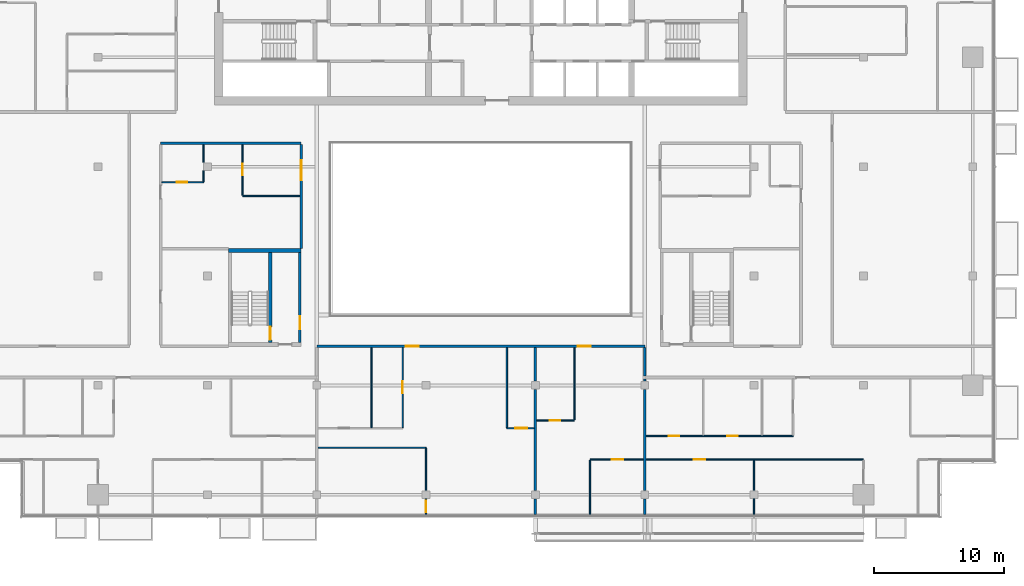
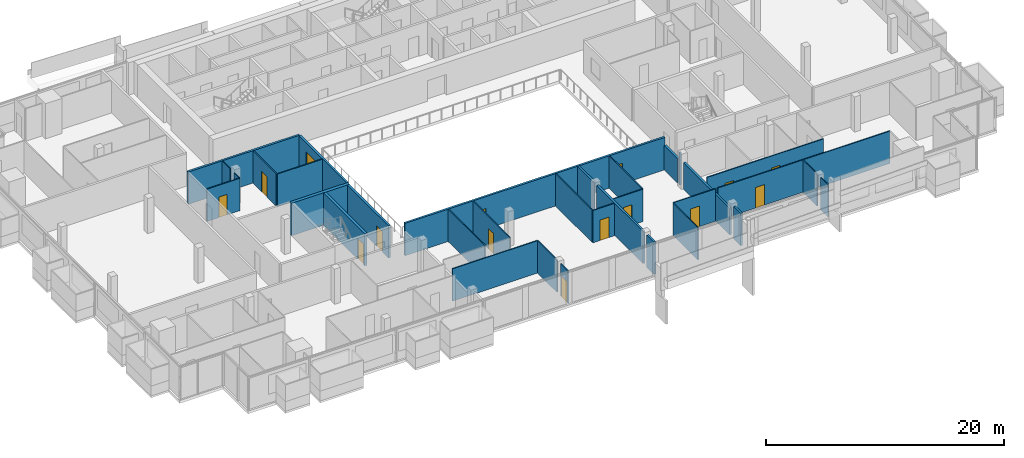
# One storey, part 18 of 27: 33 walls, 14 doors, 1 window, 15 openings.
"""IFC4 building model written with IfcOpenShell, lengths in metres."""

from ifc_helpers import new_model, si_unit, direction, frame, frame_2d, origin, place, context, subcontext, project, spatial, rectangle, extrude, material, layer, layer_set, type_object, element, fill, save


model = new_model("IFC4")

# Units and contexts
model_context = context("Model", 3, precision=1e-05, world=origin(), true_north=direction((0.0, 1.0)))
body_context = subcontext(model_context, "Body", "Model", "MODEL_VIEW")
ifc_project = project(units=[si_unit("LENGTHUNIT", "METRE"), si_unit("AREAUNIT", "SQUARE_METRE"), si_unit("VOLUMEUNIT", "CUBIC_METRE"), si_unit("PLANEANGLEUNIT", "RADIAN"), si_unit("MASSUNIT", "GRAM", prefix="KILO")], contexts=[model_context])

# Site, building, storey
site_placement = place(None, origin())
site = spatial("IfcSite", under=ifc_project, at=site_placement, CompositionType="ELEMENT")
building_placement = place(site_placement, origin())
building = spatial("IfcBuilding", under=site, at=building_placement, Name="Saffron Gate Tower", CompositionType="ELEMENT")
storey_placement = place(building_placement, frame((0.0, 0.0, 212.699951171875)))
storey = spatial("IfcBuildingStorey", under=building, at=storey_placement, Name="L51", CompositionType="ELEMENT", Elevation=212.699951171875)

# Wall, opening, door
ifc_material_1 = material(Name="Gypsum board partition on steel studs", Category="steel")
ifc_layer_1 = layer(ifc_material_1, 0.199951171875)
ifc_layer_set_1 = layer_set([ifc_layer_1], Name="CW10 Core partition 200")
wall_type_1 = type_object("IfcWallType", Name="CW10 Core partition 200", PredefinedType="PARTITIONING", material=ifc_layer_set_1)
wall_1_placement = place(storey_placement, frame((73.699951171875, 43.5, 0.0), z_axis=(0.0, 0.0, 1.0), x_axis=(0.0, 1.0, 0.0)))
wall_1 = element("IfcWall", 1, at=wall_1_placement, inside=storey, type_object=wall_type_1, Name="Wall CW10-L51-D-4", PredefinedType="PARTITIONING", context=body_context, shape_type="SweptSolid", body=[
    extrude(rectangle(XDim=6.89990234375, YDim=0.199951171875, at=frame_2d((3.449951171875, 0.0))), origin(), (0.0, 0.0, 1.0), 3.320068359375),
])
opening_1_placement = place(wall_1_placement, frame((1.0, 0.0, 0.0)))
opening_1 = element("IfcOpeningElement", 2, at=opening_1_placement, cuts=wall_1, Name="Opening CR-19", PredefinedType="OPENING", context=body_context, shape_type="SweptSolid", body=[
    extrude(rectangle(XDim=1.0, YDim=2.10009765625, at=frame_2d((0.5, 1.050048828125))), frame((0.0, 0.10986328125, 0.0), z_axis=(0.0, -1.0, 0.0), x_axis=(1.0, 0.0, 0.0)), (0.0, 0.0, 1.0), 0.219970703125),
])
ifc_material_2 = material(Name="Steel fire door set", Category="steel")
door_type_1 = type_object("IfcDoorType", Name="CD4 Lobby door 1000x2100 EI 120", OperationType="NOTDEFINED", PredefinedType="DOOR", material=ifc_material_2)
door_1_placement = place(opening_1_placement, origin())
door_1 = element("IfcDoor", 3, at=door_1_placement, inside=storey, type_object=door_type_1, Name="DOOR CR-19", OperationType="SINGLE_SWING_RIGHT", OverallHeight=2.10009765625, OverallWidth=1.0, PredefinedType="DOOR", context=body_context, shape_type="SweptSolid", body=[
    extrude(rectangle(XDim=1.0, YDim=2.10009765625, at=frame_2d((0.5, 1.050048828125))), frame((0.0, 0.02490234375, 0.0), z_axis=(0.0, -1.0, 0.0), x_axis=(1.0, 0.0, 0.0)), (0.0, 0.0, 1.0), 0.050048828125),
])
fill(opening_1, door_1)

ifc_material_3 = material(Name="Concrete C60", Category="concrete")
ifc_layer_2 = layer(ifc_material_3, 0.25)
ifc_layer_set_2 = layer_set([ifc_layer_2], Name="CW14 RC core wall 250 C60")
wall_type_2 = type_object("IfcWallType", Name="CW14 RC core wall 250 C60", PredefinedType="SOLIDWALL", material=ifc_layer_set_2)
wall_2_placement = place(storey_placement, frame((71.425048828125, 43.5, 0.0), z_axis=(0.0, 0.0, 1.0), x_axis=(0.0, 1.0, 0.0)))
wall_2 = element("IfcWall", 4, at=wall_2_placement, inside=storey, type_object=wall_type_2, Name="Wall CW14-L51-D-3", PredefinedType="SOLIDWALL", context=body_context, shape_type="SweptSolid", body=[
    extrude(rectangle(XDim=6.89990234375, YDim=0.25, at=frame_2d((3.449951171875, 0.0))), origin(), (0.0, 0.0, 1.0), 3.320068359375),
])
opening_2_placement = place(wall_2_placement, frame((0.199951171875, 0.0, 0.0)))
opening_2 = element("IfcOpeningElement", 5, at=opening_2_placement, cuts=wall_2, Name="Opening CR-20", PredefinedType="OPENING", context=body_context, shape_type="SweptSolid", body=[
    extrude(rectangle(XDim=1.0, YDim=2.10009765625, at=frame_2d((0.5, 1.050048828125))), frame((0.0, 0.135009765625, 0.0), z_axis=(0.0, -1.0, 0.0), x_axis=(1.0, 0.0, 0.0)), (0.0, 0.0, 1.0), 0.27001953125),
])
door_type_2 = type_object("IfcDoorType", Name="CD5 Stair door 1000x2100 EI 120", OperationType="NOTDEFINED", PredefinedType="DOOR", material=ifc_material_2)
door_2_placement = place(opening_2_placement, origin())
door_2 = element("IfcDoor", 6, at=door_2_placement, inside=storey, type_object=door_type_2, Name="DOOR CR-20", OperationType="SINGLE_SWING_LEFT", OverallHeight=2.10009765625, OverallWidth=1.0, PredefinedType="DOOR", context=body_context, shape_type="SweptSolid", body=[
    extrude(rectangle(XDim=1.0, YDim=2.10009765625, at=frame_2d((0.5, 1.050048828125))), frame((0.0, 0.02490234375, 0.0), z_axis=(0.0, -1.0, 0.0), x_axis=(1.0, 0.0, 0.0)), (0.0, 0.0, 1.0), 0.050048828125),
])
fill(opening_2, door_2)

# Walls
ifc_layer_3 = layer(ifc_material_3, 0.300048828125)
ifc_layer_set_3 = layer_set([ifc_layer_3], Name="CW17 RC core wall 300 C60")
wall_type_3 = type_object("IfcWallType", Name="CW17 RC core wall 300 C60", PredefinedType="SOLIDWALL", material=ifc_layer_set_3)
wall_3_placement = place(storey_placement, frame((68.199951171875, 50.550048828125, 0.0), z_axis=(0.0, 0.0, 1.0), x_axis=(1.0, 0.0, 0.0)))
element("IfcWall", 7, at=wall_3_placement, inside=storey, type_object=wall_type_3, Name="Wall CW17-L51-D-5", PredefinedType="SOLIDWALL", context=body_context, shape_type="SweptSolid", body=[
    extrude(rectangle(XDim=5.60009765625, YDim=0.300048828125, at=frame_2d((2.800048828125, 0.0))), origin(), (0.0, 0.0, 1.0), 3.320068359375),
])
ifc_material_4 = material(Name="Plasterboard on steel studs", Category="steel")
ifc_layer_4 = layer(ifc_material_4, 0.10009765625)
ifc_layer_set_4 = layer_set([ifc_layer_4], Name="PW1 Partition 100")
wall_type_4 = type_object("IfcWallType", Name="PW1 Partition 100", PredefinedType="PARTITIONING", material=ifc_layer_set_4)
wall_4_placement = place(storey_placement, frame((75.10009765625, 35.39990234375, 0.0), z_axis=(0.0, 0.0, 1.0), x_axis=(1.0, 0.0, 0.0)))
element("IfcWall", 8, at=wall_4_placement, inside=storey, type_object=wall_type_4, Name="Partition D1-4", PredefinedType="PARTITIONING", context=body_context, shape_type="SweptSolid", body=[
    extrude(rectangle(XDim=8.2998046875, YDim=0.10009765625, at=frame_2d((4.14990234375, 0.0))), origin(), (0.0, 0.0, 1.0), 3.320068359375),
])

# Wall, openings, doors
wall_5_placement = place(storey_placement, frame((100.300048828125, 36.300048828125, 0.0), z_axis=(0.0, 0.0, 1.0), x_axis=(1.0, 0.0, 0.0)))
wall_5 = element("IfcWall", 9, at=wall_5_placement, inside=storey, type_object=wall_type_4, Name="Partition D1-7", PredefinedType="PARTITIONING", context=body_context, shape_type="SweptSolid", body=[
    extrude(rectangle(XDim=11.300048828125, YDim=0.10009765625, at=frame_2d((5.64990234375, 0.0))), origin(), (0.0, 0.0, 1.0), 3.320068359375),
])
opening_3_placement = place(wall_5_placement, frame((1.75, 0.0, 0.0)))
opening_3 = element("IfcOpeningElement", 10, at=opening_3_placement, cuts=wall_5, Name="Opening D1-36", PredefinedType="OPENING", context=body_context, shape_type="SweptSolid", body=[
    extrude(rectangle(XDim=0.800048828125, YDim=2.10009765625, at=frame_2d((0.39990234375, 1.050048828125))), frame((0.0, 0.06005859375, 0.0), z_axis=(0.0, -1.0, 0.0), x_axis=(1.0, 0.0, 0.0)), (0.0, 0.0, 1.0), 0.1201171875),
])
opening_4_placement = place(wall_5_placement, frame((6.25, 0.0, 0.0)))
opening_4 = element("IfcOpeningElement", 11, at=opening_4_placement, cuts=wall_5, Name="Opening D1-37", PredefinedType="OPENING", context=body_context, shape_type="SweptSolid", body=[
    extrude(rectangle(XDim=0.800048828125, YDim=2.10009765625, at=frame_2d((0.39990234375, 1.050048828125))), frame((0.0, 0.06005859375, 0.0), z_axis=(0.0, -1.0, 0.0), x_axis=(1.0, 0.0, 0.0)), (0.0, 0.0, 1.0), 0.1201171875),
])
ifc_material_5 = material(Name="Timber door set", Category="wood")
door_type_3 = type_object("IfcDoorType", Name="RD2 Bathroom door 800x2100", OperationType="NOTDEFINED", PredefinedType="DOOR", material=ifc_material_5)
door_3_placement = place(opening_3_placement, origin())
door_3 = element("IfcDoor", 12, at=door_3_placement, inside=storey, type_object=door_type_3, Name="Door D1-36", OperationType="SINGLE_SWING_LEFT", OverallHeight=2.10009765625, OverallWidth=0.800048828125, PredefinedType="DOOR", context=body_context, shape_type="SweptSolid", body=[
    extrude(rectangle(XDim=0.800048828125, YDim=2.10009765625, at=frame_2d((0.39990234375, 1.050048828125))), frame((0.0, 0.02490234375, 0.0), z_axis=(0.0, -1.0, 0.0), x_axis=(1.0, 0.0, 0.0)), (0.0, 0.0, 1.0), 0.050048828125),
])
fill(opening_3, door_3)
door_4_placement = place(opening_4_placement, origin())
door_4 = element("IfcDoor", 13, at=door_4_placement, inside=storey, type_object=door_type_3, Name="Door D1-37", OperationType="SINGLE_SWING_RIGHT", OverallHeight=2.10009765625, OverallWidth=0.800048828125, PredefinedType="DOOR", context=body_context, shape_type="SweptSolid", body=[
    extrude(rectangle(XDim=0.800048828125, YDim=2.10009765625, at=frame_2d((0.39990234375, 1.050048828125))), frame((0.0, 0.02490234375, 0.0), z_axis=(0.0, -1.0, 0.0), x_axis=(1.0, 0.0, 0.0)), (0.0, 0.0, 1.0), 0.050048828125),
])
fill(opening_4, door_4)

# Wall, opening, door
wall_6_placement = place(storey_placement, frame((89.60791015625, 36.89990234375, 0.0), z_axis=(0.0, 0.0, 1.0), x_axis=(1.0, 0.0, 0.0)))
wall_6 = element("IfcWall", 14, at=wall_6_placement, inside=storey, type_object=wall_type_4, Name="Partition D1-10", PredefinedType="PARTITIONING", context=body_context, shape_type="SweptSolid", body=[
    extrude(rectangle(XDim=2.092041015625, YDim=0.10009765625, at=frame_2d((1.0458984375, 0.0))), origin(), (0.0, 0.0, 1.0), 3.320068359375),
])
opening_5_placement = place(wall_6_placement, frame((0.64599609375, 0.0, 0.0)))
opening_5 = element("IfcOpeningElement", 15, at=opening_5_placement, cuts=wall_6, Name="Opening D1-16", PredefinedType="OPENING", context=body_context, shape_type="SweptSolid", body=[
    extrude(rectangle(XDim=0.89990234375, YDim=2.10009765625, at=frame_2d((0.449951171875, 1.050048828125))), frame((0.0, 0.06005859375, 0.0), z_axis=(0.0, -1.0, 0.0), x_axis=(1.0, 0.0, 0.0)), (0.0, 0.0, 1.0), 0.1201171875),
])
door_type_4 = type_object("IfcDoorType", Name="RD1 Room door 900x2100", OperationType="NOTDEFINED", PredefinedType="DOOR", material=ifc_material_5)
door_5_placement = place(opening_5_placement, origin())
door_5 = element("IfcDoor", 16, at=door_5_placement, inside=storey, type_object=door_type_4, Name="Door D1-16", OperationType="SINGLE_SWING_RIGHT", OverallHeight=2.10009765625, OverallWidth=0.89990234375, PredefinedType="DOOR", context=body_context, shape_type="SweptSolid", body=[
    extrude(rectangle(XDim=0.89990234375, YDim=2.10009765625, at=frame_2d((0.449951171875, 1.050048828125))), frame((0.0, 0.02490234375, 0.0), z_axis=(0.0, -1.0, 0.0), x_axis=(1.0, 0.0, 0.0)), (0.0, 0.0, 1.0), 0.050048828125),
])
fill(opening_5, door_5)

wall_7_placement = place(storey_placement, frame((91.89990234375, 37.5, 0.0), z_axis=(0.0, 0.0, 1.0), x_axis=(1.0, 0.0, 0.0)))
wall_7 = element("IfcWall", 17, at=wall_7_placement, inside=storey, type_object=wall_type_4, Name="Partition D1-11", PredefinedType="PARTITIONING", context=body_context, shape_type="SweptSolid", body=[
    extrude(rectangle(XDim=2.900146484375, YDim=0.10009765625, at=frame_2d((1.4501953125, 0.0))), origin(), (0.0, 0.0, 1.0), 3.320068359375),
])
opening_6_placement = place(wall_7_placement, frame((1.0, 0.0, 0.0)))
opening_6 = element("IfcOpeningElement", 18, at=opening_6_placement, cuts=wall_7, Name="Opening D1-35", PredefinedType="OPENING", context=body_context, shape_type="SweptSolid", body=[
    extrude(rectangle(XDim=0.800048828125, YDim=2.10009765625, at=frame_2d((0.39990234375, 1.050048828125))), frame((0.0, 0.06005859375, 0.0), z_axis=(0.0, -1.0, 0.0), x_axis=(1.0, 0.0, 0.0)), (0.0, 0.0, 1.0), 0.1201171875),
])
door_6_placement = place(opening_6_placement, origin())
door_6 = element("IfcDoor", 19, at=door_6_placement, inside=storey, type_object=door_type_3, Name="Door D1-35", OperationType="SINGLE_SWING_LEFT", OverallHeight=2.10009765625, OverallWidth=0.800048828125, PredefinedType="DOOR", context=body_context, shape_type="SweptSolid", body=[
    extrude(rectangle(XDim=0.800048828125, YDim=2.10009765625, at=frame_2d((0.39990234375, 1.050048828125))), frame((0.0, 0.02490234375, 0.0), z_axis=(0.0, -1.0, 0.0), x_axis=(1.0, 0.0, 0.0)), (0.0, 0.0, 1.0), 0.050048828125),
])
fill(opening_6, door_6)

# Wall
wall_8_placement = place(storey_placement, frame((69.300048828125, 54.75, 0.0), z_axis=(0.0, 0.0, 1.0), x_axis=(1.0, 0.0, 0.0)))
element("IfcWall", 20, at=wall_8_placement, inside=storey, type_object=wall_type_4, Name="Partition D1-23", PredefinedType="PARTITIONING", context=body_context, shape_type="SweptSolid", body=[
    extrude(rectangle(XDim=4.39990234375, YDim=0.10009765625, at=frame_2d((2.199951171875, 0.0))), origin(), (0.0, 0.0, 1.0), 3.320068359375),
])

# Wall, opening, door
wall_9_placement = place(storey_placement, frame((63.10009765625, 55.800048828125, 0.0), z_axis=(0.0, 0.0, 1.0), x_axis=(1.0, 0.0, 0.0)))
wall_9 = element("IfcWall", 21, at=wall_9_placement, inside=storey, type_object=wall_type_4, Name="Partition D1-26", PredefinedType="PARTITIONING", context=body_context, shape_type="SweptSolid", body=[
    extrude(rectangle(XDim=3.199951171875, YDim=0.10009765625, at=frame_2d((1.60009765625, 0.0))), origin(), (0.0, 0.0, 1.0), 3.320068359375),
])
opening_7_placement = place(wall_9_placement, frame((1.14990234375, 0.0, 0.0)))
opening_7 = element("IfcOpeningElement", 22, at=opening_7_placement, cuts=wall_9, Name="Opening D1-40", PredefinedType="OPENING", context=body_context, shape_type="SweptSolid", body=[
    extrude(rectangle(XDim=0.800048828125, YDim=2.10009765625, at=frame_2d((0.39990234375, 1.050048828125))), frame((0.0, 0.06005859375, 0.0), z_axis=(0.0, -1.0, 0.0), x_axis=(1.0, 0.0, 0.0)), (0.0, 0.0, 1.0), 0.1201171875),
])
door_7_placement = place(opening_7_placement, origin())
door_7 = element("IfcDoor", 23, at=door_7_placement, inside=storey, type_object=door_type_3, Name="Door D1-40", OperationType="SINGLE_SWING_LEFT", OverallHeight=2.10009765625, OverallWidth=0.800048828125, PredefinedType="DOOR", context=body_context, shape_type="SweptSolid", body=[
    extrude(rectangle(XDim=0.800048828125, YDim=2.10009765625, at=frame_2d((0.39990234375, 1.050048828125))), frame((0.0, 0.02490234375, 0.0), z_axis=(0.0, -1.0, 0.0), x_axis=(1.0, 0.0, 0.0)), (0.0, 0.0, 1.0), 0.050048828125),
])
fill(opening_7, door_7)

# Walls
wall_10_placement = place(storey_placement, frame((66.300048828125, 56.679931640625, 0.0), z_axis=(0.0, 0.0, 1.0), x_axis=(0.0, -1.0, 0.0)))
element("IfcWall", 24, at=wall_10_placement, inside=storey, type_object=wall_type_4, Name="Partition D1-58", PredefinedType="PARTITIONING", context=body_context, shape_type="SweptSolid", body=[
    extrude(rectangle(XDim=0.829833984375, YDim=0.10009765625, at=frame_2d((0.4150390625, 0.0))), origin(), (0.0, 0.0, 1.0), 3.320068359375),
])
wall_11_placement = place(storey_placement, frame((66.300048828125, 58.699951171875, 0.0), z_axis=(0.0, 0.0, 1.0), x_axis=(0.0, -1.0, 0.0)))
element("IfcWall", 25, at=wall_11_placement, inside=storey, type_object=wall_type_4, Name="Partition D1-59", PredefinedType="PARTITIONING", context=body_context, shape_type="SweptSolid", body=[
    extrude(rectangle(XDim=1.3798828125, YDim=0.10009765625, at=frame_2d((0.68994140625, 0.0))), origin(), (0.0, 0.0, 1.0), 3.320068359375),
])

# Wall, opening, door
wall_12_placement = place(storey_placement, frame((69.300048828125, 58.699951171875, 0.0), z_axis=(0.0, 0.0, 1.0), x_axis=(0.0, -1.0, 0.0)))
wall_12 = element("IfcWall", 26, at=wall_12_placement, inside=storey, type_object=wall_type_4, Name="Partition D1-61", PredefinedType="PARTITIONING", context=body_context, shape_type="SweptSolid", body=[
    extrude(rectangle(XDim=3.89990234375, YDim=0.10009765625, at=frame_2d((1.949951171875, 0.0))), origin(), (0.0, 0.0, 1.0), 3.320068359375),
])
opening_8_placement = place(wall_12_placement, frame((1.47509765625, 0.0, 0.0)))
opening_8 = element("IfcOpeningElement", 27, at=opening_8_placement, cuts=wall_12, Name="Opening D1-30", PredefinedType="OPENING", context=body_context, shape_type="SweptSolid", body=[
    extrude(rectangle(XDim=0.89990234375, YDim=2.10009765625, at=frame_2d((0.449951171875, 1.050048828125))), frame((0.0, 0.06005859375, 0.0), z_axis=(0.0, -1.0, 0.0), x_axis=(1.0, 0.0, 0.0)), (0.0, 0.0, 1.0), 0.1201171875),
])
door_8_placement = place(opening_8_placement, origin())
door_8 = element("IfcDoor", 28, at=door_8_placement, inside=storey, type_object=door_type_4, Name="Door D1-30", OperationType="SINGLE_SWING_LEFT", OverallHeight=2.10009765625, OverallWidth=0.89990234375, PredefinedType="DOOR", context=body_context, shape_type="SweptSolid", body=[
    extrude(rectangle(XDim=0.89990234375, YDim=2.10009765625, at=frame_2d((0.449951171875, 1.050048828125))), frame((0.0, 0.02490234375, 0.0), z_axis=(0.0, -1.0, 0.0), x_axis=(1.0, 0.0, 0.0)), (0.0, 0.0, 1.0), 0.050048828125),
])
fill(opening_8, door_8)

# Wall
wall_13_placement = place(storey_placement, frame((79.206298828125, 43.10009765625, 0.0), z_axis=(0.0, 0.0, 1.0), x_axis=(0.0, -1.0, 0.0)))
element("IfcWall", 29, at=wall_13_placement, inside=storey, type_object=wall_type_4, Name="Partition D1-68", PredefinedType="PARTITIONING", context=body_context, shape_type="SweptSolid", body=[
    extrude(rectangle(XDim=6.150146484375, YDim=0.10009765625, at=frame_2d((3.0751953125, 0.0))), origin(), (0.0, 0.0, 1.0), 3.320068359375),
])

# Wall, opening, door
wall_14_placement = place(storey_placement, frame((81.60009765625, 36.949951171875, 0.0), z_axis=(0.0, 0.0, 1.0), x_axis=(0.0, 1.0, 0.0)))
wall_14 = element("IfcWall", 30, at=wall_14_placement, inside=storey, type_object=wall_type_4, Name="Partition D1-69", PredefinedType="PARTITIONING", context=body_context, shape_type="SweptSolid", body=[
    extrude(rectangle(XDim=6.150146484375, YDim=0.10009765625, at=frame_2d((3.0751953125, 0.0))), origin(), (0.0, 0.0, 1.0), 3.320068359375),
])
opening_9_placement = place(wall_14_placement, frame((2.64990234375, 0.0, 0.0)))
opening_9 = element("IfcOpeningElement", 31, at=opening_9_placement, cuts=wall_14, Name="Opening D1-17", PredefinedType="OPENING", context=body_context, shape_type="SweptSolid", body=[
    extrude(rectangle(XDim=0.89990234375, YDim=2.10009765625, at=frame_2d((0.449951171875, 1.050048828125))), frame((0.0, 0.06005859375, 0.0), z_axis=(0.0, -1.0, 0.0), x_axis=(1.0, 0.0, 0.0)), (0.0, 0.0, 1.0), 0.1201171875),
])
door_9_placement = place(opening_9_placement, origin())
door_9 = element("IfcDoor", 32, at=door_9_placement, inside=storey, type_object=door_type_4, Name="Door D1-17", OperationType="SINGLE_SWING_RIGHT", OverallHeight=2.10009765625, OverallWidth=0.89990234375, PredefinedType="DOOR", context=body_context, shape_type="SweptSolid", body=[
    extrude(rectangle(XDim=0.89990234375, YDim=2.10009765625, at=frame_2d((0.449951171875, 1.050048828125))), frame((0.0, 0.02490234375, 0.0), z_axis=(0.0, -1.0, 0.0), x_axis=(1.0, 0.0, 0.0)), (0.0, 0.0, 1.0), 0.050048828125),
])
fill(opening_9, door_9)

wall_15_placement = place(storey_placement, frame((83.39990234375, 30.280029296875, 0.0), z_axis=(0.0, 0.0, 1.0), x_axis=(0.0, 1.0, 0.0)))
wall_15 = element("IfcWall", 33, at=wall_15_placement, inside=storey, type_object=wall_type_4, Name="Partition D1-70", PredefinedType="PARTITIONING", context=body_context, shape_type="SweptSolid", body=[
    extrude(rectangle(XDim=1.199951171875, YDim=0.10009765625, at=frame_2d((0.60009765625, 0.0))), origin(), (0.0, 0.0, 1.0), 3.320068359375),
])
opening_10_placement = place(wall_15_placement, frame((0.14990234375, 0.0, 0.0)))
opening_10 = element("IfcOpeningElement", 34, at=opening_10_placement, cuts=wall_15, Name="Opening D1-15", PredefinedType="OPENING", context=body_context, shape_type="SweptSolid", body=[
    extrude(rectangle(XDim=0.89990234375, YDim=2.10009765625, at=frame_2d((0.449951171875, 1.050048828125))), frame((0.0, 0.06005859375, 0.0), z_axis=(0.0, -1.0, 0.0), x_axis=(1.0, 0.0, 0.0)), (0.0, 0.0, 1.0), 0.1201171875),
])
door_10_placement = place(opening_10_placement, origin())
door_10 = element("IfcDoor", 35, at=door_10_placement, inside=storey, type_object=door_type_4, Name="Door D1-15", OperationType="SINGLE_SWING_LEFT", OverallHeight=2.10009765625, OverallWidth=0.89990234375, PredefinedType="DOOR", context=body_context, shape_type="SweptSolid", body=[
    extrude(rectangle(XDim=0.89990234375, YDim=2.10009765625, at=frame_2d((0.449951171875, 1.050048828125))), frame((0.0, 0.02490234375, 0.0), z_axis=(0.0, -1.0, 0.0), x_axis=(1.0, 0.0, 0.0)), (0.0, 0.0, 1.0), 0.050048828125),
])
fill(opening_10, door_10)

# Walls
wall_16_placement = place(storey_placement, frame((83.39990234375, 35.35009765625, 0.0), z_axis=(0.0, 0.0, 1.0), x_axis=(0.0, -1.0, 0.0)))
element("IfcWall", 36, at=wall_16_placement, inside=storey, type_object=wall_type_4, Name="Partition D1-71", PredefinedType="PARTITIONING", context=body_context, shape_type="SweptSolid", body=[
    extrude(rectangle(XDim=3.22998046875, YDim=0.10009765625, at=frame_2d((1.614990234375, 0.0))), origin(), (0.0, 0.0, 1.0), 3.320068359375),
])
wall_17_placement = place(storey_placement, frame((89.60791015625, 43.10009765625, 0.0), z_axis=(0.0, 0.0, 1.0), x_axis=(0.0, -1.0, 0.0)))
element("IfcWall", 37, at=wall_17_placement, inside=storey, type_object=wall_type_4, Name="Partition D1-72", PredefinedType="PARTITIONING", context=body_context, shape_type="SweptSolid", body=[
    extrude(rectangle(XDim=6.150146484375, YDim=0.10009765625, at=frame_2d((3.0751953125, 0.0))), origin(), (0.0, 0.0, 1.0), 3.320068359375),
])
wall_18_placement = place(storey_placement, frame((94.800048828125, 43.10009765625, 0.0), z_axis=(0.0, 0.0, 1.0), x_axis=(0.0, -1.0, 0.0)))
element("IfcWall", 38, at=wall_18_placement, inside=storey, type_object=wall_type_4, Name="Partition D1-76", PredefinedType="PARTITIONING", context=body_context, shape_type="SweptSolid", body=[
    extrude(rectangle(XDim=5.550048828125, YDim=0.10009765625, at=frame_2d((2.77490234375, 0.0))), origin(), (0.0, 0.0, 1.0), 3.320068359375),
])
wall_19_placement = place(storey_placement, frame((96.0, 34.449951171875, 0.0), z_axis=(0.0, 0.0, 1.0), x_axis=(0.0, -1.0, 0.0)))
element("IfcWall", 39, at=wall_19_placement, inside=storey, type_object=wall_type_4, Name="Partition D1-77", PredefinedType="PARTITIONING", context=body_context, shape_type="SweptSolid", body=[
    extrude(rectangle(XDim=4.169921875, YDim=0.10009765625, at=frame_2d((2.0849609375, 0.0))), origin(), (0.0, 0.0, 1.0), 3.320068359375),
])
wall_20_placement = place(storey_placement, frame((108.60009765625, 31.47998046875, 0.0), z_axis=(0.0, 0.0, 1.0), x_axis=(0.0, -1.0, 0.0)))
element("IfcWall", 40, at=wall_20_placement, inside=storey, type_object=wall_type_4, Name="Partition D1-86", PredefinedType="PARTITIONING", context=body_context, shape_type="SweptSolid", body=[
    extrude(rectangle(XDim=1.199951171875, YDim=0.10009765625, at=frame_2d((0.60009765625, 0.0))), origin(), (0.0, 0.0, 1.0), 3.320068359375),
])
wall_21_placement = place(storey_placement, frame((108.60009765625, 34.449951171875, 0.0), z_axis=(0.0, 0.0, 1.0), x_axis=(0.0, -1.0, 0.0)))
element("IfcWall", 41, at=wall_21_placement, inside=storey, type_object=wall_type_4, Name="Partition D1-87", PredefinedType="PARTITIONING", context=body_context, shape_type="SweptSolid", body=[
    extrude(rectangle(XDim=2.329833984375, YDim=0.10009765625, at=frame_2d((1.1650390625, 0.0))), origin(), (0.0, 0.0, 1.0), 3.320068359375),
])

# Wall, opening, door
wall_22_placement = place(storey_placement, frame((100.10009765625, 34.5, 0.0), z_axis=(0.0, 0.0, 1.0), x_axis=(-1.0, 0.0, 0.0)))
wall_22 = element("IfcWall", 42, at=wall_22_placement, inside=storey, type_object=wall_type_4, Name="Partition D1-101", PredefinedType="PARTITIONING", context=body_context, shape_type="SweptSolid", body=[
    extrude(rectangle(XDim=4.10009765625, YDim=0.10009765625, at=frame_2d((2.050048828125, 0.0))), origin(), (0.0, 0.0, 1.0), 3.320068359375),
])
opening_11_placement = place(wall_22_placement, frame((1.550048828125, 0.0, 0.0)))
opening_11 = element("IfcOpeningElement", 43, at=opening_11_placement, cuts=wall_22, Name="Opening D1-18", PredefinedType="OPENING", context=body_context, shape_type="SweptSolid", body=[
    extrude(rectangle(XDim=0.89990234375, YDim=2.10009765625, at=frame_2d((0.449951171875, 1.050048828125))), frame((0.0, 0.06005859375, 0.0), z_axis=(0.0, -1.0, 0.0), x_axis=(1.0, 0.0, 0.0)), (0.0, 0.0, 1.0), 0.1201171875),
])
door_11_placement = place(opening_11_placement, origin())
door_11 = element("IfcDoor", 44, at=door_11_placement, inside=storey, type_object=door_type_4, Name="Door D1-18", OperationType="SINGLE_SWING_LEFT", OverallHeight=2.10009765625, OverallWidth=0.89990234375, PredefinedType="DOOR", context=body_context, shape_type="SweptSolid", body=[
    extrude(rectangle(XDim=0.89990234375, YDim=2.10009765625, at=frame_2d((0.449951171875, 1.050048828125))), frame((0.0, 0.02490234375, 0.0), z_axis=(0.0, -1.0, 0.0), x_axis=(1.0, 0.0, 0.0)), (0.0, 0.0, 1.0), 0.050048828125),
])
fill(opening_11, door_11)

wall_23_placement = place(storey_placement, frame((117.0, 34.5, 0.0), z_axis=(0.0, 0.0, 1.0), x_axis=(-1.0, 0.0, 0.0)))
wall_23 = element("IfcWall", 45, at=wall_23_placement, inside=storey, type_object=wall_type_4, Name="Partition D1-102", PredefinedType="PARTITIONING", context=body_context, shape_type="SweptSolid", body=[
    extrude(rectangle(XDim=16.699951171875, YDim=0.10009765625, at=frame_2d((8.35009765625, 0.0))), origin(), (0.0, 0.0, 1.0), 3.320068359375),
])
opening_12_placement = place(wall_23_placement, frame((12.14990234375, 0.0, 0.0)))
opening_12 = element("IfcOpeningElement", 46, at=opening_12_placement, cuts=wall_23, Name="Opening D1-19", PredefinedType="OPENING", context=body_context, shape_type="SweptSolid", body=[
    extrude(rectangle(XDim=0.89990234375, YDim=2.10009765625, at=frame_2d((0.449951171875, 1.050048828125))), frame((0.0, 0.06005859375, 0.0), z_axis=(0.0, -1.0, 0.0), x_axis=(1.0, 0.0, 0.0)), (0.0, 0.0, 1.0), 0.1201171875),
])
door_12_placement = place(opening_12_placement, origin())
door_12 = element("IfcDoor", 47, at=door_12_placement, inside=storey, type_object=door_type_4, Name="Door D1-19", OperationType="SINGLE_SWING_RIGHT", OverallHeight=2.10009765625, OverallWidth=0.89990234375, PredefinedType="DOOR", context=body_context, shape_type="SweptSolid", body=[
    extrude(rectangle(XDim=0.89990234375, YDim=2.10009765625, at=frame_2d((0.449951171875, 1.050048828125))), frame((0.0, 0.02490234375, 0.0), z_axis=(0.0, -1.0, 0.0), x_axis=(1.0, 0.0, 0.0)), (0.0, 0.0, 1.0), 0.050048828125),
])
fill(opening_12, door_12)

# Walls
ifc_material_6 = material(Name="Clay brick masonry, rendered", Category="masonry")
ifc_layer_5 = layer(ifc_material_6, 0.199951171875)
ifc_layer_set_5 = layer_set([ifc_layer_5], Name="PW2 Demising wall 200")
wall_type_5 = type_object("IfcWallType", Name="PW2 Demising wall 200", PredefinedType="PARTITIONING", material=ifc_layer_set_5)
wall_24_placement = place(storey_placement, frame((91.800048828125, 31.47998046875, 0.0), z_axis=(0.0, 0.0, 1.0), x_axis=(0.0, -1.0, 0.0)))
element("IfcWall", 48, at=wall_24_placement, inside=storey, type_object=wall_type_5, Name="Wall D1-73", PredefinedType="PARTITIONING", context=body_context, shape_type="SweptSolid", body=[
    extrude(rectangle(XDim=1.199951171875, YDim=0.199951171875, at=frame_2d((0.60009765625, 0.0))), origin(), (0.0, 0.0, 1.0), 3.320068359375),
])
wall_25_placement = place(storey_placement, frame((91.800048828125, 39.8798828125, 0.0), z_axis=(0.0, 0.0, 1.0), x_axis=(0.0, -1.0, 0.0)))
element("IfcWall", 49, at=wall_25_placement, inside=storey, type_object=wall_type_5, Name="Wall D1-74", PredefinedType="PARTITIONING", context=body_context, shape_type="SweptSolid", body=[
    extrude(rectangle(XDim=7.759765625, YDim=0.199951171875, at=frame_2d((3.8798828125, 0.0))), origin(), (0.0, 0.0, 1.0), 3.320068359375),
])
wall_26_placement = place(storey_placement, frame((91.800048828125, 43.10009765625, 0.0), z_axis=(0.0, 0.0, 1.0), x_axis=(0.0, -1.0, 0.0)))
element("IfcWall", 50, at=wall_26_placement, inside=storey, type_object=wall_type_5, Name="Wall D1-75", PredefinedType="PARTITIONING", context=body_context, shape_type="SweptSolid", body=[
    extrude(rectangle(XDim=2.580078125, YDim=0.199951171875, at=frame_2d((1.2900390625, 0.0))), origin(), (0.0, 0.0, 1.0), 3.320068359375),
])
wall_27_placement = place(storey_placement, frame((100.199951171875, 31.47998046875, 0.0), z_axis=(0.0, 0.0, 1.0), x_axis=(0.0, -1.0, 0.0)))
element("IfcWall", 51, at=wall_27_placement, inside=storey, type_object=wall_type_5, Name="Wall D1-79", PredefinedType="PARTITIONING", context=body_context, shape_type="SweptSolid", body=[
    extrude(rectangle(XDim=1.199951171875, YDim=0.199951171875, at=frame_2d((0.60009765625, 0.0))), origin(), (0.0, 0.0, 1.0), 3.320068359375),
])
wall_28_placement = place(storey_placement, frame((100.199951171875, 39.8798828125, 0.0), z_axis=(0.0, 0.0, 1.0), x_axis=(0.0, -1.0, 0.0)))
element("IfcWall", 52, at=wall_28_placement, inside=storey, type_object=wall_type_5, Name="Wall D1-80", PredefinedType="PARTITIONING", context=body_context, shape_type="SweptSolid", body=[
    extrude(rectangle(XDim=7.759765625, YDim=0.199951171875, at=frame_2d((3.8798828125, 0.0))), origin(), (0.0, 0.0, 1.0), 2.719970703125),
])
wall_29_placement = place(storey_placement, frame((100.199951171875, 40.699951171875, 0.0), z_axis=(0.0, 0.0, 1.0), x_axis=(0.0, -1.0, 0.0)))
element("IfcWall", 53, at=wall_29_placement, inside=storey, type_object=wall_type_5, Name="Wall D1-81", PredefinedType="PARTITIONING", context=body_context, shape_type="SweptSolid", body=[
    extrude(rectangle(XDim=0.179931640625, YDim=0.199951171875, at=frame_2d((0.08984375, 0.0))), origin(), (0.0, 0.0, 1.0), 3.320068359375),
])

# Wall, openings, doors
ifc_layer_6 = layer(ifc_material_6, 0.199951171875)
ifc_layer_set_6 = layer_set([ifc_layer_6], Name="PW3 Corridor wall 200")
wall_type_6 = type_object("IfcWallType", Name="PW3 Corridor wall 200", PredefinedType="PARTITIONING", material=ifc_layer_set_6)
wall_30_placement = place(storey_placement, frame((100.199951171875, 43.199951171875, 0.0), z_axis=(0.0, 0.0, 1.0), x_axis=(-1.0, 0.0, 0.0)))
wall_30 = element("IfcWall", 54, at=wall_30_placement, inside=storey, type_object=wall_type_6, Name="Wall D1-18", PredefinedType="PARTITIONING", context=body_context, shape_type="SweptSolid", body=[
    extrude(rectangle(XDim=25.199951171875, YDim=0.199951171875, at=frame_2d((12.60009765625, 0.0))), origin(), (0.0, 0.0, 1.0), 3.320068359375),
])
opening_13_placement = place(wall_30_placement, frame((4.14990234375, 0.0, 0.0)))
opening_13 = element("IfcOpeningElement", 55, at=opening_13_placement, cuts=wall_30, Name="Opening D1-3", PredefinedType="OPENING", context=body_context, shape_type="SweptSolid", body=[
    extrude(rectangle(XDim=1.0, YDim=2.10009765625, at=frame_2d((0.5, 1.050048828125))), frame((0.0, 0.10986328125, 0.0), z_axis=(0.0, -1.0, 0.0), x_axis=(1.0, 0.0, 0.0)), (0.0, 0.0, 1.0), 0.219970703125),
])
opening_14_placement = place(wall_30_placement, frame((17.35009765625, 0.0, 0.0)))
opening_14 = element("IfcOpeningElement", 56, at=opening_14_placement, cuts=wall_30, Name="Opening D1-2", PredefinedType="OPENING", context=body_context, shape_type="SweptSolid", body=[
    extrude(rectangle(XDim=1.0, YDim=2.10009765625, at=frame_2d((0.5, 1.050048828125))), frame((0.0, 0.10986328125, 0.0), z_axis=(0.0, -1.0, 0.0), x_axis=(1.0, 0.0, 0.0)), (0.0, 0.0, 1.0), 0.219970703125),
])
ifc_material_7 = material(Name="Timber fire door set", Category="wood")
door_type_5 = type_object("IfcDoorType", Name="FD1 Flat entry door 1000x2100", OperationType="NOTDEFINED", PredefinedType="DOOR", material=ifc_material_7)
door_13_placement = place(opening_13_placement, origin())
door_13 = element("IfcDoor", 57, at=door_13_placement, inside=storey, type_object=door_type_5, Name="Door D1-3", OperationType="SINGLE_SWING_RIGHT", OverallHeight=2.10009765625, OverallWidth=1.0, PredefinedType="DOOR", context=body_context, shape_type="SweptSolid", body=[
    extrude(rectangle(XDim=1.0, YDim=2.10009765625, at=frame_2d((0.5, 1.050048828125))), frame((0.0, 0.02490234375, 0.0), z_axis=(0.0, -1.0, 0.0), x_axis=(1.0, 0.0, 0.0)), (0.0, 0.0, 1.0), 0.050048828125),
])
fill(opening_13, door_13)
door_14_placement = place(opening_14_placement, origin())
door_14 = element("IfcDoor", 58, at=door_14_placement, inside=storey, type_object=door_type_5, Name="Door D1-2", OperationType="SINGLE_SWING_RIGHT", OverallHeight=2.10009765625, OverallWidth=1.0, PredefinedType="DOOR", context=body_context, shape_type="SweptSolid", body=[
    extrude(rectangle(XDim=1.0, YDim=2.10009765625, at=frame_2d((0.5, 1.050048828125))), frame((0.0, 0.02490234375, 0.0), z_axis=(0.0, -1.0, 0.0), x_axis=(1.0, 0.0, 0.0)), (0.0, 0.0, 1.0), 0.050048828125),
])
fill(opening_14, door_14)

# Wall
wall_31_placement = place(storey_placement, frame((63.0, 58.800048828125, 0.0), z_axis=(0.0, 0.0, 1.0), x_axis=(1.0, 0.0, 0.0)))
element("IfcWall", 59, at=wall_31_placement, inside=storey, type_object=wall_type_6, Name="Wall D1-27", PredefinedType="PARTITIONING", context=body_context, shape_type="SweptSolid", body=[
    extrude(rectangle(XDim=10.800048828125, YDim=0.199951171875, at=frame_2d((5.39990234375, 0.0))), origin(), (0.0, 0.0, 1.0), 3.320068359375),
])

# Wall, opening, window
wall_32_placement = place(storey_placement, frame((73.800048828125, 58.699951171875, 0.0), z_axis=(0.0, 0.0, 1.0), x_axis=(0.0, -1.0, 0.0)))
wall_32 = element("IfcWall", 60, at=wall_32_placement, inside=storey, type_object=wall_type_6, Name="Wall D1-63", PredefinedType="PARTITIONING", context=body_context, shape_type="SweptSolid", body=[
    extrude(rectangle(XDim=8.0, YDim=0.199951171875, at=frame_2d((4.0, 0.0))), origin(), (0.0, 0.0, 1.0), 3.320068359375),
])
opening_15_placement = place(wall_32_placement, frame((1.22509765625, 0.0, 0.89990234375)))
opening_15 = element("IfcOpeningElement", 61, at=opening_15_placement, cuts=wall_32, Name="Opening GW1", PredefinedType="OPENING", context=body_context, shape_type="SweptSolid", body=[
    extrude(rectangle(XDim=1.5, YDim=1.5, at=frame_2d((0.75, 0.75))), frame((0.0, 0.10986328125, 0.0), z_axis=(0.0, -1.0, 0.0), x_axis=(1.0, 0.0, 0.0)), (0.0, 0.0, 1.0), 0.219970703125),
])
ifc_material_8 = material(Name="Fire-resisting laminated glass in steel frame", Category="steel")
ifc_layer_7 = layer(ifc_material_8, 0.06005859375)
ifc_layer_set_7 = layer_set([ifc_layer_7], Name="GW1 Gallery window 1500x1500")
window_type = type_object("IfcWindowType", Name="GW1 Gallery window 1500x1500", PartitioningType="SINGLE_PANEL", PredefinedType="WINDOW", material=ifc_layer_set_7)
window_placement = place(opening_15_placement, origin())
window = element("IfcWindow", 62, at=window_placement, inside=storey, type_object=window_type, Name="GW1 window D1-J-B1", OverallHeight=1.5, OverallWidth=1.5, PartitioningType="SINGLE_PANEL", PredefinedType="WINDOW", context=body_context, shape_type="SweptSolid", body=[
    extrude(rectangle(XDim=1.5, YDim=1.5, at=frame_2d((0.75, 0.75))), frame((0.0, 0.030029296875, 0.0), z_axis=(0.0, -1.0, 0.0), x_axis=(1.0, 0.0, 0.0)), (0.0, 0.0, 1.0), 0.06005859375),
])
fill(opening_15, window)

# Wall
wall_33_placement = place(storey_placement, frame((100.199951171875, 43.10009765625, 0.0), z_axis=(0.0, 0.0, 1.0), x_axis=(0.0, -1.0, 0.0)))
element("IfcWall", 63, at=wall_33_placement, inside=storey, type_object=wall_type_6, Name="Wall D1-78", PredefinedType="PARTITIONING", context=body_context, shape_type="SweptSolid", body=[
    extrude(rectangle(XDim=2.2001953125, YDim=0.199951171875, at=frame_2d((1.10009765625, 0.0))), origin(), (0.0, 0.0, 1.0), 2.530029296875),
])

save(model, "model.ifc")
